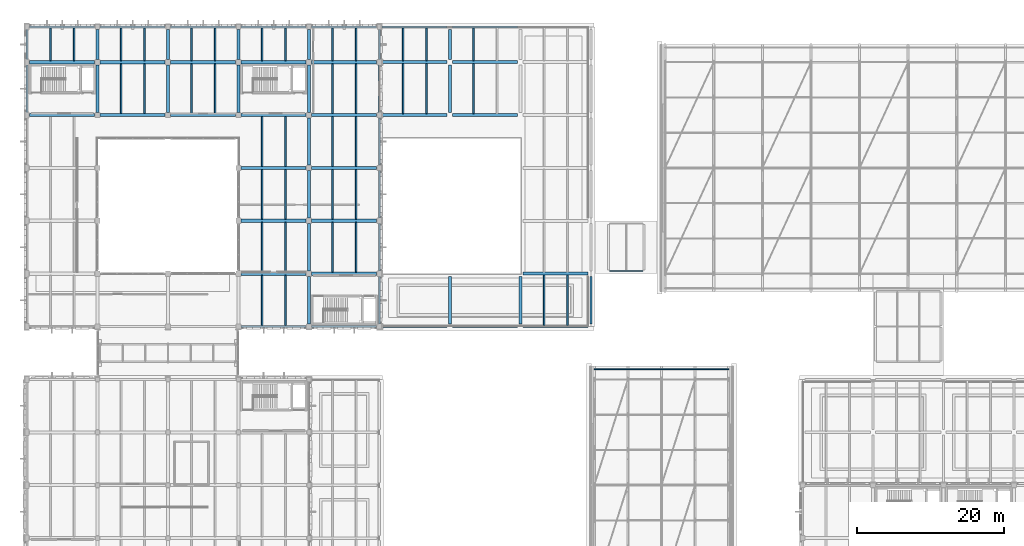
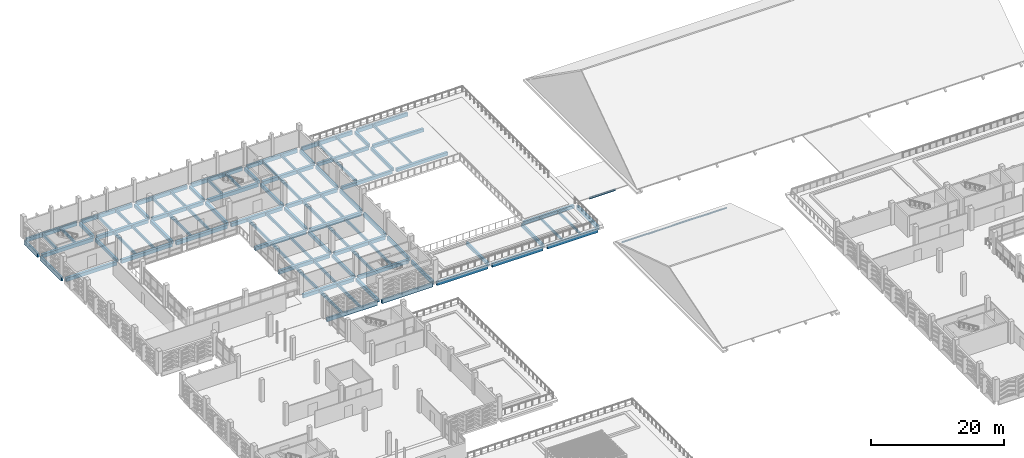
# One storey, part 48 of 134: 97 beams, 4 members.
"""IFC4 building model written with IfcOpenShell, lengths in metres."""

from ifc_helpers import new_model, si_unit, direction, frame, origin, origin_2d, place, context, subcontext, project, spatial, rectangle, i_section, extrude, material, material_profile, profile_set, type_object, element, save


model = new_model("IFC4")

# Units and contexts
model_context = context("Model", 3, precision=1e-05, world=origin(), true_north=direction((0.0, 1.0)))
body_context = subcontext(model_context, "Body", "Model", "MODEL_VIEW")
ifc_project = project(units=[si_unit("LENGTHUNIT", "METRE"), si_unit("AREAUNIT", "SQUARE_METRE"), si_unit("VOLUMEUNIT", "CUBIC_METRE"), si_unit("PLANEANGLEUNIT", "RADIAN"), si_unit("MASSUNIT", "GRAM", prefix="KILO")], contexts=[model_context])

# Site, building, storey
site_placement = place(None, origin())
site = spatial("IfcSite", under=ifc_project, at=site_placement, CompositionType="ELEMENT")
building_placement = place(site_placement, origin())
building = spatial("IfcBuilding", under=site, at=building_placement, Name="Asteropetra Specialist Clinic", CompositionType="ELEMENT")
storey_placement = place(building_placement, frame((0.0, 0.0, 8.5)))
storey = spatial("IfcBuildingStorey", under=building, at=storey_placement, Name="L02", CompositionType="ELEMENT", Elevation=8.5)

# Beams
ifc_material_1 = material(Name="Concrete C35/45", Category="concrete")
ifc_material_profile_1 = material_profile(ifc_material_1, rectangle(XDim=0.35009765625, YDim=0.60009765625, at=origin_2d()), Name="RCB 350x600")
ifc_profile_set_1 = profile_set([ifc_material_profile_1], Name="Concrete C35/45")
beam_type_1 = type_object("IfcBeamType", Name="BM-RC350x600", PredefinedType="BEAM", material=ifc_profile_set_1)
for number, where, z_axis, x_axis, name in (
    (1, (57.60009765625, 69.97509765625, -0.610107421875), (0.0, 1.0, 0.0), (-1.0, 0.0, 0.0), "Beam BBM09-0951"),
    (2, (67.199951171875, 69.97509765625, -0.610107421875), (0.0, 1.0, 0.0), (-1.0, 0.0, 0.0), "Beam BBM09-0952"),
):
    element("IfcBeam", number, at=place(storey_placement, frame(where, z_axis=z_axis, x_axis=x_axis)), inside=storey, type_object=beam_type_1, Name=name, PredefinedType="BEAM", context=body_context, shape_type="SweptSolid", body=[
        extrude(rectangle(XDim=0.35009765625, YDim=0.60009765625, at=origin_2d()), origin(), (0.0, 0.0, 1.0), 6.449951171875),
    ])
beam_1_placement = place(storey_placement, frame((57.60009765625, 98.77490234375, -0.610107421875), z_axis=(0.0, 1.0, 0.0), x_axis=(-1.0, 0.0, 0.0)))
element("IfcBeam", 3, at=beam_1_placement, inside=storey, type_object=beam_type_1, Name="Beam BBM09-0966", PredefinedType="BEAM", context=body_context, shape_type="SweptSolid", body=[
    extrude(rectangle(XDim=0.35009765625, YDim=0.60009765625, at=origin_2d()), origin(), (0.0, 0.0, 1.0), 6.4501953125),
])
beam_2_placement = place(storey_placement, frame((57.60009765625, 105.97509765625, -0.610107421875), z_axis=(0.0, 1.0, 0.0), x_axis=(-1.0, 0.0, 0.0)))
element("IfcBeam", 4, at=beam_2_placement, inside=storey, type_object=beam_type_1, Name="Beam BBM09-0976", PredefinedType="BEAM", context=body_context, shape_type="SweptSolid", body=[
    extrude(rectangle(XDim=0.35009765625, YDim=0.60009765625, at=origin_2d()), origin(), (0.0, 0.0, 1.0), 4.0498046875),
])
ifc_material_2 = material(Name="Concrete C35/45", Category="concrete")
ifc_material_profile_2 = material_profile(ifc_material_2, rectangle(XDim=0.39990234375, YDim=0.60009765625, at=origin_2d()), Name="RCB 400x600")
ifc_profile_set_2 = profile_set([ifc_material_profile_2], Name="Concrete C35/45")
beam_type_2 = type_object("IfcBeamType", Name="BM-RC400x600", PredefinedType="BEAM", material=ifc_profile_set_2)
for number, where, z_axis, x_axis, name in (
    (5, (67.574951171875, 76.800048828125, -0.610107421875), (1.0, 0.0, 0.0), (0.0, 1.0, 0.0), "Beam BBM08-0938"),
    (6, (48.375, 98.39990234375, -0.610107421875), (1.0, 0.0, 0.0), (0.0, 1.0, 0.0), "Beam BBM08-0941"),
):
    element("IfcBeam", number, at=place(storey_placement, frame(where, z_axis=z_axis, x_axis=x_axis)), inside=storey, type_object=beam_type_2, Name=name, PredefinedType="BEAM", context=body_context, shape_type="SweptSolid", body=[
        extrude(rectangle(XDim=0.39990234375, YDim=0.60009765625, at=origin_2d()), origin(), (0.0, 0.0, 1.0), 8.85009765625),
    ])
beam_3_placement = place(storey_placement, frame((57.97509765625, 98.39990234375, -0.610107421875), z_axis=(1.0, 0.0, 0.0), x_axis=(0.0, 1.0, 0.0)))
element("IfcBeam", 7, at=beam_3_placement, inside=storey, type_object=beam_type_2, Name="Beam BBM08-0942", PredefinedType="BEAM", context=body_context, shape_type="SweptSolid", body=[
    extrude(rectangle(XDim=0.39990234375, YDim=0.60009765625, at=origin_2d()), origin(), (0.0, 0.0, 1.0), 8.849853515625),
])
beam_4_placement = place(storey_placement, frame((48.375, 105.60009765625, -0.610107421875), z_axis=(1.0, 0.0, 0.0), x_axis=(0.0, 1.0, 0.0)))
element("IfcBeam", 8, at=beam_4_placement, inside=storey, type_object=beam_type_2, Name="Beam BBM08-0944", PredefinedType="BEAM", context=body_context, shape_type="SweptSolid", body=[
    extrude(rectangle(XDim=0.39990234375, YDim=0.60009765625, at=origin_2d()), origin(), (0.0, 0.0, 1.0), 8.85009765625),
])
beam_5_placement = place(storey_placement, frame((57.97509765625, 105.60009765625, -0.610107421875), z_axis=(1.0, 0.0, 0.0), x_axis=(0.0, 1.0, 0.0)))
element("IfcBeam", 9, at=beam_5_placement, inside=storey, type_object=beam_type_2, Name="Beam BBM08-0945", PredefinedType="BEAM", context=body_context, shape_type="SweptSolid", body=[
    extrude(rectangle(XDim=0.39990234375, YDim=0.60009765625, at=origin_2d()), origin(), (0.0, 0.0, 1.0), 8.849853515625),
])
for number, where, z_axis, x_axis, name in (
    (10, (38.39990234375, 69.97509765625, -0.580078125), (0.0, 1.0, 0.0), (-1.0, 0.0, 0.0), "Beam BBM08-1274"),
    (11, (38.39990234375, 77.175048828125, -0.580078125), (0.0, 1.0, 0.0), (-1.0, 0.0, 0.0), "Beam BBM08-1280"),
    (12, (38.39990234375, 84.375, -0.580078125), (0.0, 1.0, 0.0), (-1.0, 0.0, 0.0), "Beam BBM08-1289"),
    (13, (38.39990234375, 91.574951171875, -0.580078125), (0.0, 1.0, 0.0), (-1.0, 0.0, 0.0), "Beam BBM08-1298"),
):
    element("IfcBeam", number, at=place(storey_placement, frame(where, z_axis=z_axis, x_axis=x_axis)), inside=storey, type_object=beam_type_2, Name=name, PredefinedType="BEAM", context=body_context, shape_type="SweptSolid", body=[
        extrude(rectangle(XDim=0.39990234375, YDim=0.60009765625, at=origin_2d()), origin(), (0.0, 0.0, 1.0), 6.449951171875),
    ])
for number, where, z_axis, x_axis, name in (
    (14, (9.60009765625, 98.77490234375, -0.580078125), (0.0, 1.0, 0.0), (-1.0, 0.0, 0.0), "Beam BBM08-1307"),
    (15, (19.199951171875, 98.77490234375, -0.580078125), (0.0, 1.0, 0.0), (-1.0, 0.0, 0.0), "Beam BBM08-1308"),
    (16, (28.800048828125, 98.77490234375, -0.580078125), (0.0, 1.0, 0.0), (-1.0, 0.0, 0.0), "Beam BBM08-1309"),
    (17, (38.39990234375, 98.77490234375, -0.580078125), (0.0, 1.0, 0.0), (-1.0, 0.0, 0.0), "Beam BBM08-1310"),
):
    element("IfcBeam", number, at=place(storey_placement, frame(where, z_axis=z_axis, x_axis=x_axis)), inside=storey, type_object=beam_type_2, Name=name, PredefinedType="BEAM", context=body_context, shape_type="SweptSolid", body=[
        extrude(rectangle(XDim=0.39990234375, YDim=0.60009765625, at=origin_2d()), origin(), (0.0, 0.0, 1.0), 6.4501953125),
    ])
for number, where, z_axis, x_axis, name in (
    (18, (9.60009765625, 105.97509765625, -0.580078125), (0.0, 1.0, 0.0), (-1.0, 0.0, 0.0), "Beam BBM08-1318"),
    (19, (19.199951171875, 105.97509765625, -0.580078125), (0.0, 1.0, 0.0), (-1.0, 0.0, 0.0), "Beam BBM08-1319"),
    (20, (28.800048828125, 105.97509765625, -0.580078125), (0.0, 1.0, 0.0), (-1.0, 0.0, 0.0), "Beam BBM08-1320"),
    (21, (38.39990234375, 105.97509765625, -0.580078125), (0.0, 1.0, 0.0), (-1.0, 0.0, 0.0), "Beam BBM08-1321"),
):
    element("IfcBeam", number, at=place(storey_placement, frame(where, z_axis=z_axis, x_axis=x_axis)), inside=storey, type_object=beam_type_2, Name=name, PredefinedType="BEAM", context=body_context, shape_type="SweptSolid", body=[
        extrude(rectangle(XDim=0.39990234375, YDim=0.60009765625, at=origin_2d()), origin(), (0.0, 0.0, 1.0), 4.0498046875),
    ])
ifc_material_3 = material(Name="Concrete C35/45", Category="concrete")
ifc_material_profile_3 = material_profile(ifc_material_3, rectangle(XDim=0.449951171875, YDim=0.64990234375, at=origin_2d()), Name="RCB 450x650")
ifc_profile_set_3 = profile_set([ifc_material_profile_3], Name="Concrete C35/45")
beam_type_3 = type_object("IfcBeamType", Name="BM-RC450x650", PredefinedType="BEAM", material=ifc_profile_set_3)
beam_6_placement = place(storey_placement, frame((29.175048828125, 76.800048828125, -0.60498046875), z_axis=(1.0, 0.0, 0.0), x_axis=(0.0, 1.0, 0.0)))
element("IfcBeam", 22, at=beam_6_placement, inside=storey, type_object=beam_type_3, Name="Beam BBM06-1247", PredefinedType="BEAM", context=body_context, shape_type="SweptSolid", body=[
    extrude(rectangle(XDim=0.449951171875, YDim=0.64990234375, at=origin_2d()), origin(), (0.0, 0.0, 1.0), 8.849853515625),
])
beam_7_placement = place(storey_placement, frame((38.77490234375, 76.800048828125, -0.60498046875), z_axis=(1.0, 0.0, 0.0), x_axis=(0.0, 1.0, 0.0)))
element("IfcBeam", 23, at=beam_7_placement, inside=storey, type_object=beam_type_3, Name="Beam BBM06-1248", PredefinedType="BEAM", context=body_context, shape_type="SweptSolid", body=[
    extrude(rectangle(XDim=0.449951171875, YDim=0.64990234375, at=origin_2d()), origin(), (0.0, 0.0, 1.0), 8.85009765625),
])
beam_8_placement = place(storey_placement, frame((29.175048828125, 84.0, -0.60498046875), z_axis=(1.0, 0.0, 0.0), x_axis=(0.0, 1.0, 0.0)))
element("IfcBeam", 24, at=beam_8_placement, inside=storey, type_object=beam_type_3, Name="Beam BBM06-1250", PredefinedType="BEAM", context=body_context, shape_type="SweptSolid", body=[
    extrude(rectangle(XDim=0.449951171875, YDim=0.64990234375, at=origin_2d()), origin(), (0.0, 0.0, 1.0), 8.849853515625),
])
beam_9_placement = place(storey_placement, frame((38.77490234375, 84.0, -0.60498046875), z_axis=(1.0, 0.0, 0.0), x_axis=(0.0, 1.0, 0.0)))
element("IfcBeam", 25, at=beam_9_placement, inside=storey, type_object=beam_type_3, Name="Beam BBM06-1251", PredefinedType="BEAM", context=body_context, shape_type="SweptSolid", body=[
    extrude(rectangle(XDim=0.449951171875, YDim=0.64990234375, at=origin_2d()), origin(), (0.0, 0.0, 1.0), 8.85009765625),
])
beam_10_placement = place(storey_placement, frame((29.175048828125, 91.199951171875, -0.60498046875), z_axis=(1.0, 0.0, 0.0), x_axis=(0.0, 1.0, 0.0)))
element("IfcBeam", 26, at=beam_10_placement, inside=storey, type_object=beam_type_3, Name="Beam BBM06-1253", PredefinedType="BEAM", context=body_context, shape_type="SweptSolid", body=[
    extrude(rectangle(XDim=0.449951171875, YDim=0.64990234375, at=origin_2d()), origin(), (0.0, 0.0, 1.0), 8.849853515625),
])
for number, where, z_axis, x_axis, name in (
    (27, (38.77490234375, 91.199951171875, -0.60498046875), (1.0, 0.0, 0.0), (0.0, 1.0, 0.0), "Beam BBM06-1254"),
    (28, (0.375, 98.39990234375, -0.60498046875), (1.0, 0.0, 0.0), (0.0, 1.0, 0.0), "Beam BBM06-1255"),
):
    element("IfcBeam", number, at=place(storey_placement, frame(where, z_axis=z_axis, x_axis=x_axis)), inside=storey, type_object=beam_type_3, Name=name, PredefinedType="BEAM", context=body_context, shape_type="SweptSolid", body=[
        extrude(rectangle(XDim=0.449951171875, YDim=0.64990234375, at=origin_2d()), origin(), (0.0, 0.0, 1.0), 8.85009765625),
    ])
beam_11_placement = place(storey_placement, frame((9.97509765625, 98.39990234375, -0.60498046875), z_axis=(1.0, 0.0, 0.0), x_axis=(0.0, 1.0, 0.0)))
element("IfcBeam", 29, at=beam_11_placement, inside=storey, type_object=beam_type_3, Name="Beam BBM06-1256", PredefinedType="BEAM", context=body_context, shape_type="SweptSolid", body=[
    extrude(rectangle(XDim=0.449951171875, YDim=0.64990234375, at=origin_2d()), origin(), (0.0, 0.0, 1.0), 8.849853515625),
])
beam_12_placement = place(storey_placement, frame((19.574951171875, 98.39990234375, -0.60498046875), z_axis=(1.0, 0.0, 0.0), x_axis=(0.0, 1.0, 0.0)))
element("IfcBeam", 30, at=beam_12_placement, inside=storey, type_object=beam_type_3, Name="Beam BBM06-1257", PredefinedType="BEAM", context=body_context, shape_type="SweptSolid", body=[
    extrude(rectangle(XDim=0.449951171875, YDim=0.64990234375, at=origin_2d()), origin(), (0.0, 0.0, 1.0), 8.85009765625),
])
beam_13_placement = place(storey_placement, frame((29.175048828125, 98.39990234375, -0.60498046875), z_axis=(1.0, 0.0, 0.0), x_axis=(0.0, 1.0, 0.0)))
element("IfcBeam", 31, at=beam_13_placement, inside=storey, type_object=beam_type_3, Name="Beam BBM06-1258", PredefinedType="BEAM", context=body_context, shape_type="SweptSolid", body=[
    extrude(rectangle(XDim=0.449951171875, YDim=0.64990234375, at=origin_2d()), origin(), (0.0, 0.0, 1.0), 8.849853515625),
])
for number, where, z_axis, x_axis, name in (
    (32, (38.77490234375, 98.39990234375, -0.60498046875), (1.0, 0.0, 0.0), (0.0, 1.0, 0.0), "Beam BBM06-1259"),
    (33, (0.375, 105.60009765625, -0.60498046875), (1.0, 0.0, 0.0), (0.0, 1.0, 0.0), "Beam BBM06-1260"),
):
    element("IfcBeam", number, at=place(storey_placement, frame(where, z_axis=z_axis, x_axis=x_axis)), inside=storey, type_object=beam_type_3, Name=name, PredefinedType="BEAM", context=body_context, shape_type="SweptSolid", body=[
        extrude(rectangle(XDim=0.449951171875, YDim=0.64990234375, at=origin_2d()), origin(), (0.0, 0.0, 1.0), 8.85009765625),
    ])
beam_14_placement = place(storey_placement, frame((9.97509765625, 105.60009765625, -0.60498046875), z_axis=(1.0, 0.0, 0.0), x_axis=(0.0, 1.0, 0.0)))
element("IfcBeam", 34, at=beam_14_placement, inside=storey, type_object=beam_type_3, Name="Beam BBM06-1261", PredefinedType="BEAM", context=body_context, shape_type="SweptSolid", body=[
    extrude(rectangle(XDim=0.449951171875, YDim=0.64990234375, at=origin_2d()), origin(), (0.0, 0.0, 1.0), 8.849853515625),
])
beam_15_placement = place(storey_placement, frame((19.574951171875, 105.60009765625, -0.60498046875), z_axis=(1.0, 0.0, 0.0), x_axis=(0.0, 1.0, 0.0)))
element("IfcBeam", 35, at=beam_15_placement, inside=storey, type_object=beam_type_3, Name="Beam BBM06-1262", PredefinedType="BEAM", context=body_context, shape_type="SweptSolid", body=[
    extrude(rectangle(XDim=0.449951171875, YDim=0.64990234375, at=origin_2d()), origin(), (0.0, 0.0, 1.0), 8.85009765625),
])
beam_16_placement = place(storey_placement, frame((29.175048828125, 105.60009765625, -0.60498046875), z_axis=(1.0, 0.0, 0.0), x_axis=(0.0, 1.0, 0.0)))
element("IfcBeam", 36, at=beam_16_placement, inside=storey, type_object=beam_type_3, Name="Beam BBM06-1263", PredefinedType="BEAM", context=body_context, shape_type="SweptSolid", body=[
    extrude(rectangle(XDim=0.449951171875, YDim=0.64990234375, at=origin_2d()), origin(), (0.0, 0.0, 1.0), 8.849853515625),
])
beam_17_placement = place(storey_placement, frame((38.77490234375, 105.60009765625, -0.60498046875), z_axis=(1.0, 0.0, 0.0), x_axis=(0.0, 1.0, 0.0)))
element("IfcBeam", 37, at=beam_17_placement, inside=storey, type_object=beam_type_3, Name="Beam BBM06-1264", PredefinedType="BEAM", context=body_context, shape_type="SweptSolid", body=[
    extrude(rectangle(XDim=0.449951171875, YDim=0.64990234375, at=origin_2d()), origin(), (0.0, 0.0, 1.0), 8.85009765625),
])
ifc_material_4 = material(Name="Steel S355", Category="steel")
ifc_material_profile_4 = material_profile(ifc_material_4, i_section(OverallWidth=0.169921875, OverallDepth=0.360107421875, WebThickness=0.008056640625, FlangeThickness=0.0126953125, FilletRadius=0.01806640625, at=origin_2d()), Name="IPE 360")
ifc_profile_set_4 = profile_set([ifc_material_profile_4], Name="Steel S355")
beam_type_4 = type_object("IfcBeamType", Name="BM-STL-IPE360", PredefinedType="BEAM", material=ifc_profile_set_4)
beam_18_placement = place(storey_placement, frame((79.320068359375, 77.14990234375, -0.3701171875), z_axis=(1.0, 0.0, 0.0), x_axis=(0.0, 1.0, 0.0)))
element("IfcBeam", 38, at=beam_18_placement, inside=storey, type_object=beam_type_4, Name="Beam BBMS4-1354", PredefinedType="BEAM", context=body_context, shape_type="SweptSolid", body=[
    extrude(i_section(OverallWidth=0.169921875, OverallDepth=0.360107421875, WebThickness=0.008056640625, FlangeThickness=0.0126953125, FilletRadius=0.01806640625, at=origin_2d()), origin(), (0.0, 0.0, 1.0), 4.559814453125),
])
ifc_material_5 = material(Name="Concrete C35/45", Category="concrete")
ifc_material_profile_5 = material_profile(ifc_material_5, rectangle(XDim=0.239990234375, YDim=0.449951171875, at=origin_2d()), Name="RCJ 240x450")
ifc_profile_set_5 = profile_set([ifc_material_profile_5], Name="Concrete C35/45")
beam_type_5 = type_object("IfcBeamType", Name="JST-RC240x450", PredefinedType="JOIST", material=ifc_profile_set_5)
for number, where, z_axis, x_axis, name in (
    (39, (70.39990234375, 69.760009765625, -0.534912109375), (0.0, 1.0, 0.0), (-1.0, 0.0, 0.0), "Joist JJST03-0954"),
    (40, (73.60009765625, 69.760009765625, -0.534912109375), (0.0, 1.0, 0.0), (-1.0, 0.0, 0.0), "Joist JJST03-0955"),
):
    element("IfcBeam", number, at=place(storey_placement, frame(where, z_axis=z_axis, x_axis=x_axis)), inside=storey, type_object=beam_type_5, Name=name, PredefinedType="JOIST", context=body_context, shape_type="SweptSolid", body=[
        extrude(rectangle(XDim=0.239990234375, YDim=0.449951171875, at=origin_2d()), origin(), (0.0, 0.0, 1.0), 6.840087890625),
    ])
for number, where, z_axis, x_axis, name in (
    (41, (51.199951171875, 98.60009765625, -0.534912109375), (0.0, 1.0, 0.0), (-1.0, 0.0, 0.0), "Joist JJST03-0969"),
    (42, (54.39990234375, 98.60009765625, -0.534912109375), (0.0, 1.0, 0.0), (-1.0, 0.0, 0.0), "Joist JJST03-0970"),
    (43, (60.800048828125, 98.60009765625, -0.534912109375), (0.0, 1.0, 0.0), (-1.0, 0.0, 0.0), "Joist JJST03-0971"),
):
    element("IfcBeam", number, at=place(storey_placement, frame(where, z_axis=z_axis, x_axis=x_axis)), inside=storey, type_object=beam_type_5, Name=name, PredefinedType="JOIST", context=body_context, shape_type="SweptSolid", body=[
        extrude(rectangle(XDim=0.239990234375, YDim=0.449951171875, at=origin_2d()), origin(), (0.0, 0.0, 1.0), 6.7998046875),
    ])
for number, where, z_axis, x_axis, name in (
    (44, (51.199951171875, 105.800048828125, -0.534912109375), (0.0, 1.0, 0.0), (-1.0, 0.0, 0.0), "Joist JJST03-0979"),
    (45, (54.39990234375, 105.800048828125, -0.534912109375), (0.0, 1.0, 0.0), (-1.0, 0.0, 0.0), "Joist JJST03-0980"),
    (46, (60.800048828125, 105.800048828125, -0.534912109375), (0.0, 1.0, 0.0), (-1.0, 0.0, 0.0), "Joist JJST03-0981"),
):
    element("IfcBeam", number, at=place(storey_placement, frame(where, z_axis=z_axis, x_axis=x_axis)), inside=storey, type_object=beam_type_5, Name=name, PredefinedType="JOIST", context=body_context, shape_type="SweptSolid", body=[
        extrude(rectangle(XDim=0.239990234375, YDim=0.449951171875, at=origin_2d()), origin(), (0.0, 0.0, 1.0), 4.43994140625),
    ])
ifc_material_6 = material(Name="Concrete C35/45", Category="concrete")
ifc_material_profile_6 = material_profile(ifc_material_6, rectangle(XDim=0.260009765625, YDim=0.47998046875, at=origin_2d()), Name="RCJ 260x480")
ifc_profile_set_6 = profile_set([ifc_material_profile_6], Name="Concrete C35/45")
beam_type_6 = type_object("IfcBeamType", Name="JST-RC260x480", PredefinedType="JOIST", material=ifc_profile_set_6)
for number, where, z_axis, x_axis, name in (
    (47, (32.0, 69.760009765625, -0.52001953125), (0.0, 1.0, 0.0), (-1.0, 0.0, 0.0), "Joist JJST02-1277"),
    (48, (35.199951171875, 69.760009765625, -0.52001953125), (0.0, 1.0, 0.0), (-1.0, 0.0, 0.0), "Joist JJST02-1278"),
):
    element("IfcBeam", number, at=place(storey_placement, frame(where, z_axis=z_axis, x_axis=x_axis)), inside=storey, type_object=beam_type_6, Name=name, PredefinedType="JOIST", context=body_context, shape_type="SweptSolid", body=[
        extrude(rectangle(XDim=0.260009765625, YDim=0.47998046875, at=origin_2d()), origin(), (0.0, 0.0, 1.0), 6.81494140625),
    ])
for number, where, z_axis, x_axis, name in (
    (49, (32.0, 77.02490234375, -0.52001953125), (0.0, 1.0, 0.0), (-1.0, 0.0, 0.0), "Joist JJST02-1284"),
    (50, (35.199951171875, 77.02490234375, -0.52001953125), (0.0, 1.0, 0.0), (-1.0, 0.0, 0.0), "Joist JJST02-1285"),
    (51, (41.60009765625, 77.02490234375, -0.52001953125), (0.0, 1.0, 0.0), (-1.0, 0.0, 0.0), "Joist JJST02-1286"),
    (52, (44.800048828125, 77.02490234375, -0.52001953125), (0.0, 1.0, 0.0), (-1.0, 0.0, 0.0), "Joist JJST02-1287"),
    (53, (32.0, 84.22509765625, -0.52001953125), (0.0, 1.0, 0.0), (-1.0, 0.0, 0.0), "Joist JJST02-1293"),
    (54, (35.199951171875, 84.22509765625, -0.52001953125), (0.0, 1.0, 0.0), (-1.0, 0.0, 0.0), "Joist JJST02-1294"),
    (55, (41.60009765625, 84.22509765625, -0.52001953125), (0.0, 1.0, 0.0), (-1.0, 0.0, 0.0), "Joist JJST02-1295"),
    (56, (44.800048828125, 84.22509765625, -0.52001953125), (0.0, 1.0, 0.0), (-1.0, 0.0, 0.0), "Joist JJST02-1296"),
    (57, (32.0, 91.425048828125, -0.52001953125), (0.0, 1.0, 0.0), (-1.0, 0.0, 0.0), "Joist JJST02-1302"),
    (58, (35.199951171875, 91.425048828125, -0.52001953125), (0.0, 1.0, 0.0), (-1.0, 0.0, 0.0), "Joist JJST02-1303"),
    (59, (41.60009765625, 91.425048828125, -0.52001953125), (0.0, 1.0, 0.0), (-1.0, 0.0, 0.0), "Joist JJST02-1304"),
    (60, (44.800048828125, 91.425048828125, -0.52001953125), (0.0, 1.0, 0.0), (-1.0, 0.0, 0.0), "Joist JJST02-1305"),
    (61, (12.800048828125, 98.625, -0.52001953125), (0.0, 1.0, 0.0), (-1.0, 0.0, 0.0), "Joist JJST02-1311"),
    (62, (16.0, 98.625, -0.52001953125), (0.0, 1.0, 0.0), (-1.0, 0.0, 0.0), "Joist JJST02-1312"),
    (63, (22.39990234375, 98.625, -0.52001953125), (0.0, 1.0, 0.0), (-1.0, 0.0, 0.0), "Joist JJST02-1313"),
    (64, (25.60009765625, 98.625, -0.52001953125), (0.0, 1.0, 0.0), (-1.0, 0.0, 0.0), "Joist JJST02-1314"),
    (65, (41.60009765625, 98.625, -0.52001953125), (0.0, 1.0, 0.0), (-1.0, 0.0, 0.0), "Joist JJST02-1315"),
    (66, (44.800048828125, 98.625, -0.52001953125), (0.0, 1.0, 0.0), (-1.0, 0.0, 0.0), "Joist JJST02-1316"),
):
    element("IfcBeam", number, at=place(storey_placement, frame(where, z_axis=z_axis, x_axis=x_axis)), inside=storey, type_object=beam_type_6, Name=name, PredefinedType="JOIST", context=body_context, shape_type="SweptSolid", body=[
        extrude(rectangle(XDim=0.260009765625, YDim=0.47998046875, at=origin_2d()), origin(), (0.0, 0.0, 1.0), 6.75),
    ])
for number, where, z_axis, x_axis, name in (
    (67, (3.199951171875, 105.824951171875, -0.52001953125), (0.0, 1.0, 0.0), (-1.0, 0.0, 0.0), "Joist JJST02-1322"),
    (68, (6.39990234375, 105.824951171875, -0.52001953125), (0.0, 1.0, 0.0), (-1.0, 0.0, 0.0), "Joist JJST02-1323"),
    (69, (12.800048828125, 105.824951171875, -0.52001953125), (0.0, 1.0, 0.0), (-1.0, 0.0, 0.0), "Joist JJST02-1324"),
    (70, (16.0, 105.824951171875, -0.52001953125), (0.0, 1.0, 0.0), (-1.0, 0.0, 0.0), "Joist JJST02-1325"),
    (71, (22.39990234375, 105.824951171875, -0.52001953125), (0.0, 1.0, 0.0), (-1.0, 0.0, 0.0), "Joist JJST02-1326"),
    (72, (25.60009765625, 105.824951171875, -0.52001953125), (0.0, 1.0, 0.0), (-1.0, 0.0, 0.0), "Joist JJST02-1327"),
    (73, (32.0, 105.824951171875, -0.52001953125), (0.0, 1.0, 0.0), (-1.0, 0.0, 0.0), "Joist JJST02-1328"),
    (74, (35.199951171875, 105.824951171875, -0.52001953125), (0.0, 1.0, 0.0), (-1.0, 0.0, 0.0), "Joist JJST02-1329"),
    (75, (41.60009765625, 105.824951171875, -0.52001953125), (0.0, 1.0, 0.0), (-1.0, 0.0, 0.0), "Joist JJST02-1330"),
    (76, (44.800048828125, 105.824951171875, -0.52001953125), (0.0, 1.0, 0.0), (-1.0, 0.0, 0.0), "Joist JJST02-1331"),
):
    element("IfcBeam", number, at=place(storey_placement, frame(where, z_axis=z_axis, x_axis=x_axis)), inside=storey, type_object=beam_type_6, Name=name, PredefinedType="JOIST", context=body_context, shape_type="SweptSolid", body=[
        extrude(rectangle(XDim=0.260009765625, YDim=0.47998046875, at=origin_2d()), origin(), (0.0, 0.0, 1.0), 4.4150390625),
    ])
ifc_material_7 = material(Name="Concrete C35/45", Category="concrete")
ifc_material_profile_7 = material_profile(ifc_material_7, rectangle(XDim=0.320068359375, YDim=0.699951171875, at=origin_2d()), Name="RCS 320x700")
ifc_profile_set_7 = profile_set([ifc_material_profile_7], Name="Concrete C35/45")
beam_type_7 = type_object("IfcBeamType", Name="SPN-RC320x700", PredefinedType="SPANDREL", material=ifc_profile_set_7)
beam_19_placement = place(storey_placement, frame((48.375, 69.60009765625, -0.659912109375), z_axis=(1.0, 0.0, 0.0), x_axis=(0.0, 1.0, 0.0)))
element("IfcBeam", 77, at=beam_19_placement, inside=storey, type_object=beam_type_7, Name="Beam BSPN02-0935", PredefinedType="SPANDREL", context=body_context, shape_type="SweptSolid", body=[
    extrude(rectangle(XDim=0.320068359375, YDim=0.699951171875, at=origin_2d()), origin(), (0.0, 0.0, 1.0), 8.85009765625),
])
beam_20_placement = place(storey_placement, frame((57.97509765625, 69.60009765625, -0.659912109375), z_axis=(1.0, 0.0, 0.0), x_axis=(0.0, 1.0, 0.0)))
element("IfcBeam", 78, at=beam_20_placement, inside=storey, type_object=beam_type_7, Name="Beam BSPN02-0936", PredefinedType="SPANDREL", context=body_context, shape_type="SweptSolid", body=[
    extrude(rectangle(XDim=0.320068359375, YDim=0.699951171875, at=origin_2d()), origin(), (0.0, 0.0, 1.0), 8.849853515625),
])
for number, where, z_axis, x_axis, name in (
    (79, (67.574951171875, 69.60009765625, -0.659912109375), (1.0, 0.0, 0.0), (0.0, 1.0, 0.0), "Beam BSPN02-0937"),
    (80, (48.375, 110.39990234375, -0.659912109375), (1.0, 0.0, 0.0), (0.0, 1.0, 0.0), "Beam BSPN02-0947"),
):
    element("IfcBeam", number, at=place(storey_placement, frame(where, z_axis=z_axis, x_axis=x_axis)), inside=storey, type_object=beam_type_7, Name=name, PredefinedType="SPANDREL", context=body_context, shape_type="SweptSolid", body=[
        extrude(rectangle(XDim=0.320068359375, YDim=0.699951171875, at=origin_2d()), origin(), (0.0, 0.0, 1.0), 8.85009765625),
    ])
beam_21_placement = place(storey_placement, frame((57.97509765625, 110.39990234375, -0.659912109375), z_axis=(1.0, 0.0, 0.0), x_axis=(0.0, 1.0, 0.0)))
element("IfcBeam", 81, at=beam_21_placement, inside=storey, type_object=beam_type_7, Name="Beam BSPN02-0948", PredefinedType="SPANDREL", context=body_context, shape_type="SweptSolid", body=[
    extrude(rectangle(XDim=0.320068359375, YDim=0.699951171875, at=origin_2d()), origin(), (0.0, 0.0, 1.0), 8.849853515625),
])
for number, where, z_axis, x_axis, name in (
    (82, (48.0, 69.97509765625, -0.659912109375), (0.0, 1.0, 0.0), (-1.0, 0.0, 0.0), "Beam BSPN02-0950"),
    (83, (76.800048828125, 69.97509765625, -0.659912109375), (0.0, 1.0, 0.0), (-1.0, 0.0, 0.0), "Beam BSPN02-0953"),
):
    element("IfcBeam", number, at=place(storey_placement, frame(where, z_axis=z_axis, x_axis=x_axis)), inside=storey, type_object=beam_type_7, Name=name, PredefinedType="SPANDREL", context=body_context, shape_type="SweptSolid", body=[
        extrude(rectangle(XDim=0.320068359375, YDim=0.699951171875, at=origin_2d()), origin(), (0.0, 0.0, 1.0), 6.449951171875),
    ])
beam_22_placement = place(storey_placement, frame((48.0, 98.77490234375, -0.659912109375), z_axis=(0.0, 1.0, 0.0), x_axis=(-1.0, 0.0, 0.0)))
element("IfcBeam", 84, at=beam_22_placement, inside=storey, type_object=beam_type_7, Name="Beam BSPN02-0965", PredefinedType="SPANDREL", context=body_context, shape_type="SweptSolid", body=[
    extrude(rectangle(XDim=0.320068359375, YDim=0.699951171875, at=origin_2d()), origin(), (0.0, 0.0, 1.0), 6.4501953125),
])
beam_23_placement = place(storey_placement, frame((48.0, 105.97509765625, -0.659912109375), z_axis=(0.0, 1.0, 0.0), x_axis=(-1.0, 0.0, 0.0)))
element("IfcBeam", 85, at=beam_23_placement, inside=storey, type_object=beam_type_7, Name="Beam BSPN02-0975", PredefinedType="SPANDREL", context=body_context, shape_type="SweptSolid", body=[
    extrude(rectangle(XDim=0.320068359375, YDim=0.699951171875, at=origin_2d()), origin(), (0.0, 0.0, 1.0), 4.0498046875),
])
beam_24_placement = place(storey_placement, frame((29.175048828125, 69.60009765625, -0.6298828125), z_axis=(1.0, 0.0, 0.0), x_axis=(0.0, 1.0, 0.0)))
element("IfcBeam", 86, at=beam_24_placement, inside=storey, type_object=beam_type_7, Name="Beam BSPN02-1244", PredefinedType="SPANDREL", context=body_context, shape_type="SweptSolid", body=[
    extrude(rectangle(XDim=0.320068359375, YDim=0.699951171875, at=origin_2d()), origin(), (0.0, 0.0, 1.0), 8.849853515625),
])
for number, where, z_axis, x_axis, name in (
    (87, (38.77490234375, 69.60009765625, -0.6298828125), (1.0, 0.0, 0.0), (0.0, 1.0, 0.0), "Beam BSPN02-1245"),
    (88, (0.375, 110.39990234375, -0.6298828125), (1.0, 0.0, 0.0), (0.0, 1.0, 0.0), "Beam BSPN02-1265"),
):
    element("IfcBeam", number, at=place(storey_placement, frame(where, z_axis=z_axis, x_axis=x_axis)), inside=storey, type_object=beam_type_7, Name=name, PredefinedType="SPANDREL", context=body_context, shape_type="SweptSolid", body=[
        extrude(rectangle(XDim=0.320068359375, YDim=0.699951171875, at=origin_2d()), origin(), (0.0, 0.0, 1.0), 8.85009765625),
    ])
beam_25_placement = place(storey_placement, frame((9.97509765625, 110.39990234375, -0.6298828125), z_axis=(1.0, 0.0, 0.0), x_axis=(0.0, 1.0, 0.0)))
element("IfcBeam", 89, at=beam_25_placement, inside=storey, type_object=beam_type_7, Name="Beam BSPN02-1266", PredefinedType="SPANDREL", context=body_context, shape_type="SweptSolid", body=[
    extrude(rectangle(XDim=0.320068359375, YDim=0.699951171875, at=origin_2d()), origin(), (0.0, 0.0, 1.0), 8.849853515625),
])
beam_26_placement = place(storey_placement, frame((19.574951171875, 110.39990234375, -0.6298828125), z_axis=(1.0, 0.0, 0.0), x_axis=(0.0, 1.0, 0.0)))
element("IfcBeam", 90, at=beam_26_placement, inside=storey, type_object=beam_type_7, Name="Beam BSPN02-1267", PredefinedType="SPANDREL", context=body_context, shape_type="SweptSolid", body=[
    extrude(rectangle(XDim=0.320068359375, YDim=0.699951171875, at=origin_2d()), origin(), (0.0, 0.0, 1.0), 8.85009765625),
])
beam_27_placement = place(storey_placement, frame((29.175048828125, 110.39990234375, -0.6298828125), z_axis=(1.0, 0.0, 0.0), x_axis=(0.0, 1.0, 0.0)))
element("IfcBeam", 91, at=beam_27_placement, inside=storey, type_object=beam_type_7, Name="Beam BSPN02-1268", PredefinedType="SPANDREL", context=body_context, shape_type="SweptSolid", body=[
    extrude(rectangle(XDim=0.320068359375, YDim=0.699951171875, at=origin_2d()), origin(), (0.0, 0.0, 1.0), 8.849853515625),
])
beam_28_placement = place(storey_placement, frame((38.77490234375, 110.39990234375, -0.6298828125), z_axis=(1.0, 0.0, 0.0), x_axis=(0.0, 1.0, 0.0)))
element("IfcBeam", 92, at=beam_28_placement, inside=storey, type_object=beam_type_7, Name="Beam BSPN02-1269", PredefinedType="SPANDREL", context=body_context, shape_type="SweptSolid", body=[
    extrude(rectangle(XDim=0.320068359375, YDim=0.699951171875, at=origin_2d()), origin(), (0.0, 0.0, 1.0), 8.85009765625),
])
for number, where, z_axis, x_axis, name in (
    (93, (48.0, 77.175048828125, -0.659912109375), (0.0, 1.0, 0.0), (-1.0, 0.0, 0.0), "Beam BSPN02-1281"),
    (94, (48.0, 84.375, -0.659912109375), (0.0, 1.0, 0.0), (-1.0, 0.0, 0.0), "Beam BSPN02-1290"),
    (95, (48.0, 91.574951171875, -0.659912109375), (0.0, 1.0, 0.0), (-1.0, 0.0, 0.0), "Beam BSPN02-1299"),
):
    element("IfcBeam", number, at=place(storey_placement, frame(where, z_axis=z_axis, x_axis=x_axis)), inside=storey, type_object=beam_type_7, Name=name, PredefinedType="SPANDREL", context=body_context, shape_type="SweptSolid", body=[
        extrude(rectangle(XDim=0.320068359375, YDim=0.699951171875, at=origin_2d()), origin(), (0.0, 0.0, 1.0), 6.449951171875),
    ])
beam_29_placement = place(storey_placement, frame((0.0, 98.77490234375, -0.6298828125), z_axis=(0.0, 1.0, 0.0), x_axis=(-1.0, 0.0, 0.0)))
element("IfcBeam", 96, at=beam_29_placement, inside=storey, type_object=beam_type_7, Name="Beam BSPN02-1306", PredefinedType="SPANDREL", context=body_context, shape_type="SweptSolid", body=[
    extrude(rectangle(XDim=0.320068359375, YDim=0.699951171875, at=origin_2d()), origin(), (0.0, 0.0, 1.0), 6.4501953125),
])
beam_30_placement = place(storey_placement, frame((0.0, 105.97509765625, -0.6298828125), z_axis=(0.0, 1.0, 0.0), x_axis=(-1.0, 0.0, 0.0)))
element("IfcBeam", 97, at=beam_30_placement, inside=storey, type_object=beam_type_7, Name="Beam BSPN02-1317", PredefinedType="SPANDREL", context=body_context, shape_type="SweptSolid", body=[
    extrude(rectangle(XDim=0.320068359375, YDim=0.699951171875, at=origin_2d()), origin(), (0.0, 0.0, 1.0), 4.0498046875),
])

# Members
ifc_material_8 = material(Name="Steel S355", Category="steel")
ifc_material_profile_8 = material_profile(ifc_material_8, i_section(OverallWidth=0.10009765625, OverallDepth=0.199951171875, WebThickness=0.005615234375, FlangeThickness=0.008544921875, FilletRadius=0.011962890625, at=origin_2d()), Name="IPE 200")
ifc_profile_set_8 = profile_set([ifc_material_profile_8], Name="Steel S355")
member_type_1 = type_object("IfcMemberType", Name="TR-PUR-IPE200", PredefinedType="PURLIN", material=ifc_profile_set_8)
for number, where, z_axis, x_axis, name in (
    (98, (81.824951171875, 63.800048828125, 0.26513671875), (1.0, 0.0, 0.0), (0.0, 1.0, 0.0), "Roof Purlin TRV3-P02-09"),
    (99, (90.97509765625, 63.800048828125, 0.26513671875), (1.0, 0.0, 0.0), (0.0, 1.0, 0.0), "Roof Purlin TRV3-P04-09"),
):
    element("IfcMember", number, at=place(storey_placement, frame(where, z_axis=z_axis, x_axis=x_axis)), inside=storey, type_object=member_type_1, Name=name, PredefinedType="PURLIN", context=body_context, shape_type="SweptSolid", body=[
        extrude(i_section(OverallWidth=0.10009765625, OverallDepth=0.199951171875, WebThickness=0.005615234375, FlangeThickness=0.008544921875, FilletRadius=0.011962890625, at=origin_2d()), origin(), (0.0, 0.0, 1.0), 4.574951171875),
    ])
ifc_material_9 = material(Name="Steel S355", Category="steel")
ifc_material_profile_9 = material_profile(ifc_material_9, i_section(OverallWidth=0.135009765625, OverallDepth=0.27001953125, WebThickness=0.006591796875, FlangeThickness=0.01025390625, FilletRadius=0.014892578125, at=origin_2d()), Name="IPE 270")
ifc_profile_set_9 = profile_set([ifc_material_profile_9], Name="Steel S355")
member_type_2 = type_object("IfcMemberType", Name="TR-PUR-IPE270", PredefinedType="PURLIN", material=ifc_profile_set_9)
member_1_placement = place(storey_placement, frame((77.25, 63.800048828125, 0.30029296875), z_axis=(1.0, 0.0, 0.0), x_axis=(0.0, 1.0, 0.0)))
element("IfcMember", 100, at=member_1_placement, inside=storey, type_object=member_type_2, Name="Roof Purlin TRV3-P01-09", PredefinedType="PURLIN", context=body_context, shape_type="SweptSolid", body=[
    extrude(i_section(OverallWidth=0.135009765625, OverallDepth=0.27001953125, WebThickness=0.006591796875, FlangeThickness=0.01025390625, FilletRadius=0.014892578125, at=origin_2d()), origin(), (0.0, 0.0, 1.0), 4.574951171875),
])
member_2_placement = place(storey_placement, frame((86.39990234375, 63.800048828125, 0.30029296875), z_axis=(1.0, 0.0, 0.0), x_axis=(0.0, 1.0, 0.0)))
element("IfcMember", 101, at=member_2_placement, inside=storey, type_object=member_type_2, Name="Roof Purlin TRV3-P03-09", PredefinedType="PURLIN", context=body_context, shape_type="SweptSolid", body=[
    extrude(i_section(OverallWidth=0.135009765625, OverallDepth=0.27001953125, WebThickness=0.006591796875, FlangeThickness=0.01025390625, FilletRadius=0.014892578125, at=origin_2d()), origin(), (0.0, 0.0, 1.0), 4.5751953125),
])

save(model, "model.ifc")
